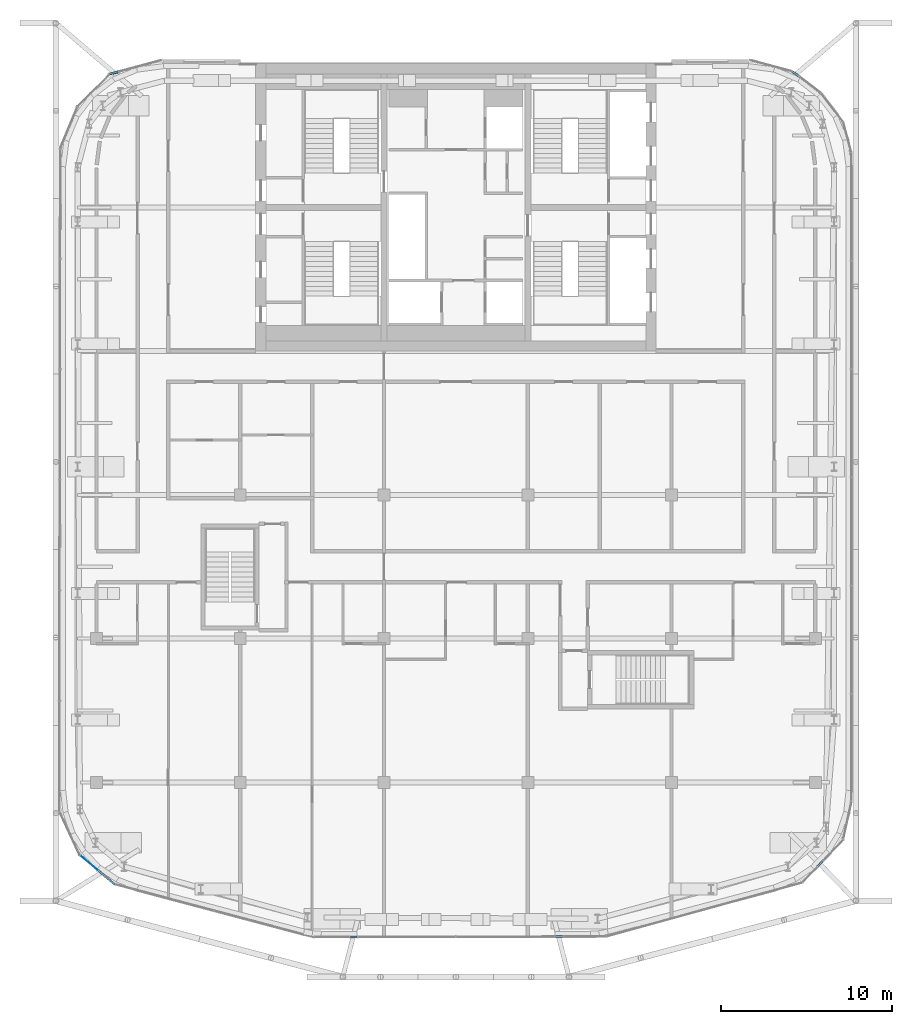
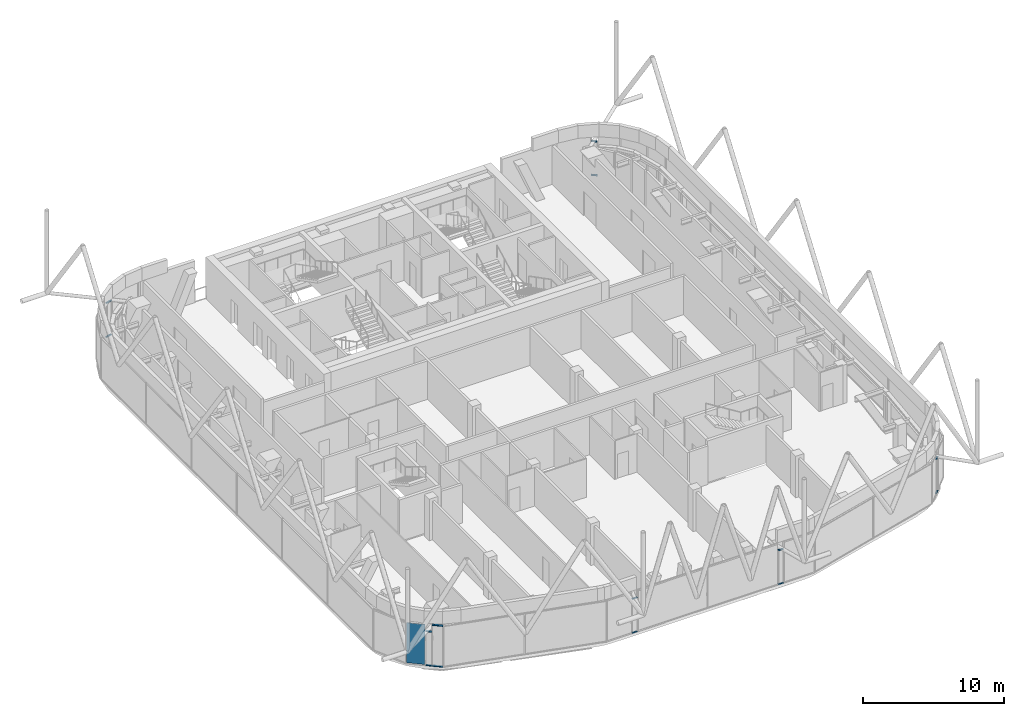
# One storey, part 13 of 25: 14 members, 1 plate, 8 elements without a shape of their own.
"""IFC4 building model written with IfcOpenShell, lengths in metres."""

from ifc_helpers import new_model, si_unit, direction, frame, origin, origin_2d, place, context, subcontext, project, spatial, rectangle, extrude, material, layer, layer_set, material_profile, profile_set, type_object, element, aggregate, save


model = new_model("IFC4")

# Units and contexts
model_context = context("Model", 3, precision=1e-05, world=origin(), true_north=direction((0.0, 1.0)))
body_context = subcontext(model_context, "Body", "Model", "MODEL_VIEW")
ifc_project = project(units=[si_unit("LENGTHUNIT", "METRE"), si_unit("AREAUNIT", "SQUARE_METRE"), si_unit("VOLUMEUNIT", "CUBIC_METRE"), si_unit("PLANEANGLEUNIT", "RADIAN"), si_unit("MASSUNIT", "GRAM", prefix="KILO")], contexts=[model_context])

# Site, building, storey
site_placement = place(None, origin())
site = spatial("IfcSite", under=ifc_project, at=site_placement, CompositionType="ELEMENT")
building_placement = place(site_placement, origin())
building = spatial("IfcBuilding", under=site, at=building_placement, Name="Marenta Gate Hotel Tower", CompositionType="ELEMENT")
storey_placement = place(building_placement, frame((0.0, 0.0, 277.699951171875)))
storey = spatial("IfcBuildingStorey", under=building, at=storey_placement, Name="L64", CompositionType="ELEMENT", Elevation=277.699951171875)

# Curtain wall, members
ifc_material_1 = material(Name="Tinted insulated glass in bronze anodised frame", Category="glass")
ifc_layer_1 = layer(ifc_material_1, 0.1201171875)
ifc_layer_set_1 = layer_set([ifc_layer_1], Name="Tinted insulated glass in bronze anodised frame")
curtain_wall_type = type_object("IfcCurtainWallType", Name="Tower unitised curtain wall CW1", PredefinedType="NOTDEFINED", material=ifc_layer_set_1)
curtain_wall_1_placement = place(storey_placement, origin())
curtain_wall_1 = element("IfcCurtainWall", 1, at=curtain_wall_1_placement, inside=storey, type_object=curtain_wall_type, Name="CW1 run G01", PredefinedType="NOTDEFINED")
ifc_material_2 = material(Name="Bronze anodised aluminium", Category="aluminium")
ifc_material_profile = material_profile(ifc_material_2, rectangle(XDim=0.1201171875, YDim=0.06005859375, at=origin_2d()), Name="Transom CW1 60x120 bronze anodised aluminium")
ifc_profile_set = profile_set([ifc_material_profile], Name="Bronze anodised aluminium")
member_type = type_object("IfcMemberType", Name="Transom CW1 60x120 bronze anodised aluminium", PredefinedType="USERDEFINED", material=ifc_profile_set)
member_1_placement = place(storey_placement, frame((-19.751708984375, 16.315673828125, 0.030029296875), z_axis=(-0.965943584038, -0.258752763185, 0.0), x_axis=(0.258752763185, -0.965943584038, 0.0)))
member_1 = element("IfcMember", 2, at=member_1_placement, type_object=member_type, Name="CW1 transom 1.1", ObjectType="TRANSOM", PredefinedType="USERDEFINED", context=body_context, shape_type="SweptSolid", body=[
    extrude(rectangle(XDim=0.1201171875, YDim=0.06005859375, at=origin_2d()), origin(), (0.0, 0.0, 1.0), 0.48779296875),
])
member_2_placement = place(storey_placement, frame((-19.751708984375, 16.315673828125, 2.970458984375), z_axis=(-0.965943584038, -0.258752763185, 0.0), x_axis=(0.258752763185, -0.965943584038, 0.0)))
member_2 = element("IfcMember", 3, at=member_2_placement, type_object=member_type, Name="CW1 transom 1.2", ObjectType="TRANSOM", PredefinedType="USERDEFINED", context=body_context, shape_type="SweptSolid", body=[
    extrude(rectangle(XDim=0.1201171875, YDim=0.06005859375, at=origin_2d()), origin(), (0.0, 0.0, 1.0), 0.48779296875),
])
aggregate(curtain_wall_1, [member_1, member_2])

curtain_wall_2_placement = place(storey_placement, origin())
curtain_wall_2 = element("IfcCurtainWall", 4, at=curtain_wall_2_placement, inside=storey, type_object=curtain_wall_type, Name="CW1 run G07", PredefinedType="NOTDEFINED")
member_3_placement = place(storey_placement, frame((-20.86181640625, -30.378173828125, 0.030029296875), z_axis=(0.76716580635, -0.641448848754, 0.0), x_axis=(0.641448848754, 0.76716580635, 0.0)))
member_3 = element("IfcMember", 5, at=member_3_placement, type_object=member_type, Name="CW1 transom 1.1", ObjectType="TRANSOM", PredefinedType="USERDEFINED", context=body_context, shape_type="SweptSolid", body=[
    extrude(rectangle(XDim=0.1201171875, YDim=0.06005859375, at=origin_2d()), origin(), (0.0, 0.0, 1.0), 0.41748046875),
])
member_4_placement = place(storey_placement, frame((-20.86181640625, -30.378173828125, 2.970458984375), z_axis=(0.76716580635, -0.641448848754, 0.0), x_axis=(0.641448848754, 0.76716580635, 0.0)))
member_4 = element("IfcMember", 6, at=member_4_placement, type_object=member_type, Name="CW1 transom 1.2", ObjectType="TRANSOM", PredefinedType="USERDEFINED", context=body_context, shape_type="SweptSolid", body=[
    extrude(rectangle(XDim=0.1201171875, YDim=0.06005859375, at=origin_2d()), origin(), (0.0, 0.0, 1.0), 0.41748046875),
])
aggregate(curtain_wall_2, [member_3, member_4])

curtain_wall_3_placement = place(storey_placement, origin())
curtain_wall_3 = element("IfcCurtainWall", 7, at=curtain_wall_3_placement, inside=storey, type_object=curtain_wall_type, Name="CW1 run G08", PredefinedType="NOTDEFINED")
member_5_placement = place(storey_placement, frame((-20.49560546875, -30.6845703125, 0.030029296875), z_axis=(0.767151638624, -0.641465792819, 0.0), x_axis=(0.641465792819, 0.767151638624, 0.0)))
member_5 = element("IfcMember", 8, at=member_5_placement, type_object=member_type, Name="CW1 transom 1.1", ObjectType="TRANSOM", PredefinedType="USERDEFINED", context=body_context, shape_type="SweptSolid", body=[
    extrude(rectangle(XDim=0.1201171875, YDim=0.06005859375, at=origin_2d()), origin(), (0.0, 0.0, 1.0), 0.73046875),
])
member_6_placement = place(storey_placement, frame((-20.49560546875, -30.6845703125, 3.570068359375), z_axis=(0.767151638624, -0.641465792819, 0.0), x_axis=(0.641465792819, 0.767151638624, 0.0)))
member_6 = element("IfcMember", 9, at=member_6_placement, type_object=member_type, Name="CW1 transom 1.2", ObjectType="TRANSOM", PredefinedType="USERDEFINED", context=body_context, shape_type="SweptSolid", body=[
    extrude(rectangle(XDim=0.1201171875, YDim=0.06005859375, at=origin_2d()), origin(), (0.0, 0.0, 1.0), 0.73046875),
])
aggregate(curtain_wall_3, [member_5, member_6])

curtain_wall_4_placement = place(storey_placement, origin())
curtain_wall_4 = element("IfcCurtainWall", 10, at=curtain_wall_4_placement, inside=storey, type_object=curtain_wall_type, Name="CW1 run G11", PredefinedType="NOTDEFINED")
member_7_placement = place(storey_placement, frame((-6.17919921875, -34.242919921875, 0.030029296875), z_axis=(0.999998390322, 0.001794255485, 0.0), x_axis=(-0.001794255485, 0.999998390322, 0.0)))
member_7 = element("IfcMember", 11, at=member_7_placement, type_object=member_type, Name="CW1 transom 1.1", ObjectType="TRANSOM", PredefinedType="USERDEFINED", context=body_context, shape_type="SweptSolid", body=[
    extrude(rectangle(XDim=0.1201171875, YDim=0.06005859375, at=origin_2d()), origin(), (0.0, 0.0, 1.0), 0.408203125),
])
member_8_placement = place(storey_placement, frame((-6.17919921875, -34.242919921875, 2.970458984375), z_axis=(0.999998390322, 0.001794255485, 0.0), x_axis=(-0.001794255485, 0.999998390322, 0.0)))
member_8 = element("IfcMember", 12, at=member_8_placement, type_object=member_type, Name="CW1 transom 1.2", ObjectType="TRANSOM", PredefinedType="USERDEFINED", context=body_context, shape_type="SweptSolid", body=[
    extrude(rectangle(XDim=0.1201171875, YDim=0.06005859375, at=origin_2d()), origin(), (0.0, 0.0, 1.0), 0.408203125),
])
aggregate(curtain_wall_4, [member_7, member_8])

curtain_wall_5_placement = place(storey_placement, origin())
curtain_wall_5 = element("IfcCurtainWall", 13, at=curtain_wall_5_placement, inside=storey, type_object=curtain_wall_type, Name="CW1 run G13", PredefinedType="NOTDEFINED")
member_9_placement = place(storey_placement, frame((5.82470703125, -34.21826171875, 0.030029296875), z_axis=(0.999997131498, 0.00239520271, 0.0), x_axis=(-0.00239520271, 0.999997131498, 0.0)))
member_9 = element("IfcMember", 14, at=member_9_placement, type_object=member_type, Name="CW1 transom 1.1", ObjectType="TRANSOM", PredefinedType="USERDEFINED", context=body_context, shape_type="SweptSolid", body=[
    extrude(rectangle(XDim=0.1201171875, YDim=0.06005859375, at=origin_2d()), origin(), (0.0, 0.0, 1.0), 0.40771484375),
])
member_10_placement = place(storey_placement, frame((5.82470703125, -34.21826171875, 2.970458984375), z_axis=(0.999997131498, 0.00239520271, 0.0), x_axis=(-0.00239520271, 0.999997131498, 0.0)))
member_10 = element("IfcMember", 15, at=member_10_placement, type_object=member_type, Name="CW1 transom 1.2", ObjectType="TRANSOM", PredefinedType="USERDEFINED", context=body_context, shape_type="SweptSolid", body=[
    extrude(rectangle(XDim=0.1201171875, YDim=0.06005859375, at=origin_2d()), origin(), (0.0, 0.0, 1.0), 0.40771484375),
])
aggregate(curtain_wall_5, [member_9, member_10])

curtain_wall_6_placement = place(storey_placement, origin())
curtain_wall_6 = element("IfcCurtainWall", 16, at=curtain_wall_6_placement, inside=storey, type_object=curtain_wall_type, Name="CW1 run G17", PredefinedType="NOTDEFINED")
member_11_placement = place(storey_placement, frame((21.15673828125, -30.091064453125, 0.030029296875), z_axis=(0.692363774374, 0.721548615087, 0.0), x_axis=(-0.721548615087, 0.692363774374, 0.0)))
member_11 = element("IfcMember", 17, at=member_11_placement, type_object=member_type, Name="CW1 transom 1.1", ObjectType="TRANSOM", PredefinedType="USERDEFINED", context=body_context, shape_type="SweptSolid", body=[
    extrude(rectangle(XDim=0.1201171875, YDim=0.06005859375, at=origin_2d()), origin(), (0.0, 0.0, 1.0), 0.39306640625),
])
member_12_placement = place(storey_placement, frame((21.15673828125, -30.091064453125, 2.970458984375), z_axis=(0.692363774374, 0.721548615087, 0.0), x_axis=(-0.721548615087, 0.692363774374, 0.0)))
member_12 = element("IfcMember", 18, at=member_12_placement, type_object=member_type, Name="CW1 transom 1.2", ObjectType="TRANSOM", PredefinedType="USERDEFINED", context=body_context, shape_type="SweptSolid", body=[
    extrude(rectangle(XDim=0.1201171875, YDim=0.06005859375, at=origin_2d()), origin(), (0.0, 0.0, 1.0), 0.39306640625),
])
aggregate(curtain_wall_6, [member_11, member_12])

curtain_wall_7_placement = place(storey_placement, origin())
curtain_wall_7 = element("IfcCurtainWall", 19, at=curtain_wall_7_placement, inside=storey, type_object=curtain_wall_type, Name="CW1 run G24", PredefinedType="NOTDEFINED")
member_13_placement = place(storey_placement, frame((20.01025390625, 16.082763671875, 0.030029296875), z_axis=(-0.793282767196, 0.60885339062, 0.0), x_axis=(-0.60885339062, -0.793282767196, 0.0)))
member_13 = element("IfcMember", 20, at=member_13_placement, type_object=member_type, Name="CW1 transom 1.1", ObjectType="TRANSOM", PredefinedType="USERDEFINED", context=body_context, shape_type="SweptSolid", body=[
    extrude(rectangle(XDim=0.1201171875, YDim=0.06005859375, at=origin_2d()), origin(), (0.0, 0.0, 1.0), 0.4130859375),
])
member_14_placement = place(storey_placement, frame((20.01025390625, 16.082763671875, 2.970458984375), z_axis=(-0.793282767196, 0.60885339062, 0.0), x_axis=(-0.60885339062, -0.793282767196, 0.0)))
member_14 = element("IfcMember", 21, at=member_14_placement, type_object=member_type, Name="CW1 transom 1.2", ObjectType="TRANSOM", PredefinedType="USERDEFINED", context=body_context, shape_type="SweptSolid", body=[
    extrude(rectangle(XDim=0.1201171875, YDim=0.06005859375, at=origin_2d()), origin(), (0.0, 0.0, 1.0), 0.4130859375),
])
aggregate(curtain_wall_7, [member_13, member_14])

# Curtain wall, plate
curtain_wall_8_placement = place(storey_placement, origin())
curtain_wall_8 = element("IfcCurtainWall", 22, at=curtain_wall_8_placement, inside=storey, type_object=curtain_wall_type, Name="CW1 run G06", PredefinedType="NOTDEFINED")
ifc_material_3 = material(Name="Tinted insulated glass", Category="glass")
ifc_layer_2 = layer(ifc_material_3, 0.028076171875)
ifc_layer_set_2 = layer_set([ifc_layer_2], Name="Tinted insulated glass")
plate_type = type_object("IfcPlateType", Name="Glass panel CW1 28 mm tinted insulated unit", PredefinedType="CURTAIN_PANEL", material=ifc_layer_set_2)
plate_placement = place(storey_placement, frame((-21.42236328125, -29.909423828125, 0.06005859375), z_axis=(0.0, 0.0, 1.0), x_axis=(0.767108794048, -0.641517028686, 0.0)))
plate = element("IfcPlate", 23, at=plate_placement, type_object=plate_type, Name="CW1 panel 1.1", PredefinedType="CURTAIN_PANEL", context=body_context, shape_type="SweptSolid", body=[
    extrude(rectangle(XDim=1.34130859375, YDim=0.028076171875, at=origin_2d()), origin(), (0.0, 0.0, 1.0), 3.47998046875),
])
aggregate(curtain_wall_8, [plate])

save(model, "model.ifc")
